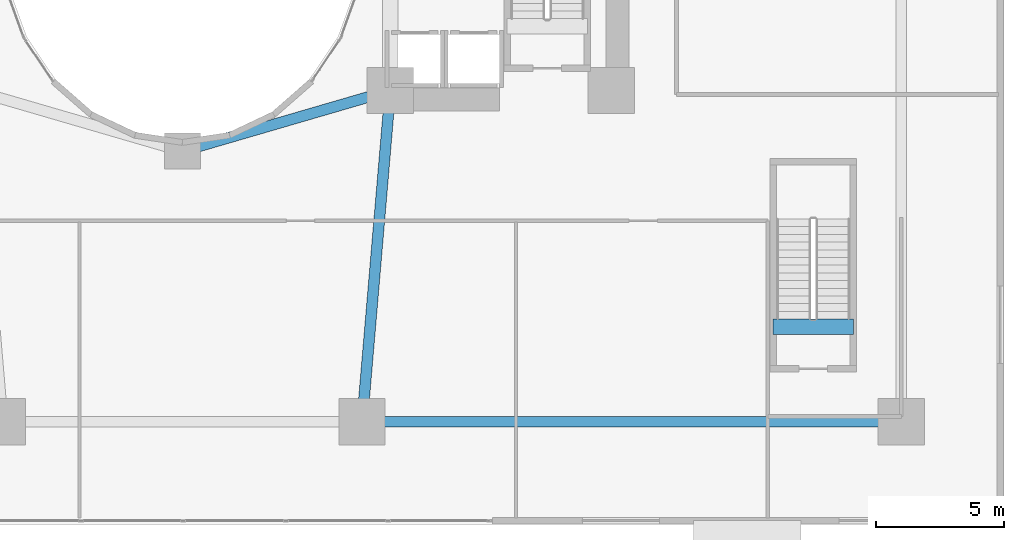
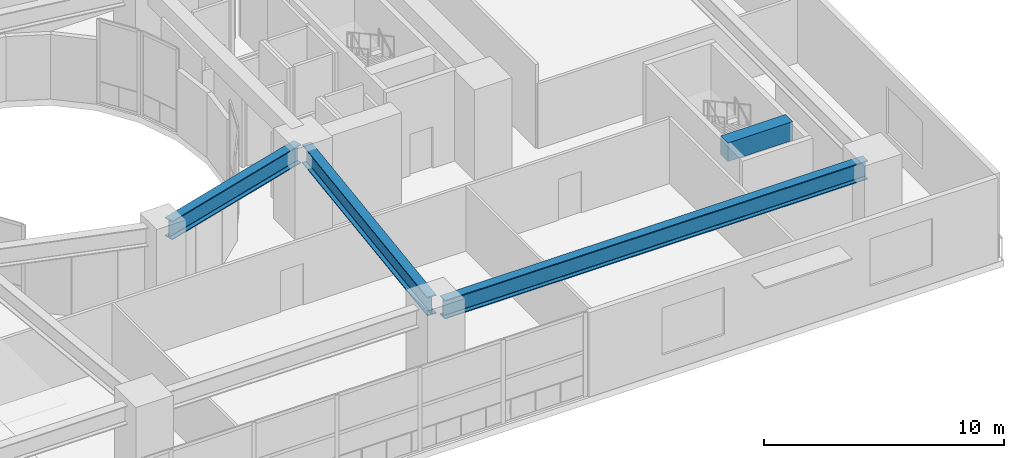
# One storey, part 6 of 25: 4 beams.
"""IFC4 building model written with IfcOpenShell, lengths in metres."""

import ifcopenshell
import ifcopenshell.guid

model = None  # the IFC model being written
_history = None  # IfcOwnerHistory: only IFC2X3 demands one
_inside = {}  # id of a spatial element -> (the spatial element, [elements in it])
_under = {}  # id of a project, library or spatial element -> (it, [spatial elements below it])
_declared = {}  # id of a project -> (the project, [libraries it declares])
_typed = {}  # id of a type object -> (the type object, [elements of that type])
_made_of = {}  # id of a material, layer set ... -> (it, [elements and type objects made of it])


def new_model(schema):
    """Start an empty IFC model of exactly this schema.

    Asked for "IFC4X3", IfcOpenShell would pick the latest addendum, in which some entities
    have other attributes; the version numbers below select the first issue.
    IFC2X3 requires an IfcOwnerHistory on every rooted entity: one is made here for all.
    """
    global model, _history
    if schema == "IFC4X3":
        model = ifcopenshell.file(schema_version=(4, 3, 0, 0))
    else:
        model = ifcopenshell.file(schema=schema)
    _inside.clear()
    _under.clear()
    _declared.clear()
    _typed.clear()
    _made_of.clear()
    _history = None
    if model.schema == "IFC2X3":
        org = make("IfcOrganization", Name="unknown")
        user = make(
            "IfcPersonAndOrganization",
            ThePerson=make("IfcPerson", FamilyName="unknown"),
            TheOrganization=org,
        )
        app = make(
            "IfcApplication",
            ApplicationDeveloper=org,
            Version="unknown",
            ApplicationFullName="unknown",
            ApplicationIdentifier="unknown",
        )
        _history = make(
            "IfcOwnerHistory",
            OwningUser=user,
            OwningApplication=app,
            ChangeAction="ADDED",
            CreationDate=0,
        )
    return model


def make(cls, **values):
    """One entity of the class cls with the attributes given. An attribute that is None is left unset."""
    return model.create_entity(
        cls, **{name: value for name, value in values.items() if value is not None}
    )


def rooted(cls, **values):
    """An entity with a GlobalId (a new one), such as an element, a storey or a relation."""
    return make(cls, GlobalId=ifcopenshell.guid.new(), OwnerHistory=_history, **values)


def si_unit(unit_type, name, prefix=None):
    """IfcSIUnit, for example si_unit("LENGTHUNIT", "METRE", prefix="MILLI")."""
    return make("IfcSIUnit", UnitType=unit_type, Prefix=prefix, Name=name)


def assignment(units):
    """IfcUnitAssignment: the units of a project."""
    return None if units is None else make("IfcUnitAssignment", Units=units)


def point(xyz):
    """IfcCartesianPoint."""
    return None if xyz is None else make("IfcCartesianPoint", Coordinates=xyz)


def direction(xyz):
    """IfcDirection."""
    return None if xyz is None else make("IfcDirection", DirectionRatios=xyz)


def frame(location, z_axis=None, x_axis=None):
    """IfcAxis2Placement3D, a coordinate frame: its origin and axes. An axis left out is left unset."""
    return make(
        "IfcAxis2Placement3D",
        Location=point(location),
        Axis=direction(z_axis),
        RefDirection=direction(x_axis),
    )


def frame_2d(location, x_axis=None):
    """IfcAxis2Placement2D, a coordinate frame in the plane: its origin and x axis."""
    return make(
        "IfcAxis2Placement2D", Location=point(location), RefDirection=direction(x_axis)
    )


def origin():
    """The frame at (0, 0, 0) with its axes left unset."""
    return frame((0.0, 0.0, 0.0))


def origin_2d():
    """The frame at (0, 0) in the plane with its x axis left unset."""
    return frame_2d((0.0, 0.0))


def place(relative_to, where):
    """IfcLocalPlacement: puts the frame where relative to a parent placement (None: the world)."""
    return make(
        "IfcLocalPlacement", PlacementRelTo=relative_to, RelativePlacement=where
    )


def context(
    kind, dimensions, precision=None, world=None, true_north=None, identifier=None
):
    """IfcGeometricRepresentationContext, for example the 3D "Model" context."""
    return make(
        "IfcGeometricRepresentationContext",
        ContextIdentifier=identifier,
        ContextType=kind,
        CoordinateSpaceDimension=dimensions,
        Precision=precision,
        WorldCoordinateSystem=world,
        TrueNorth=true_north,
    )


def subcontext(parent, identifier, kind, view, scale=None):
    """IfcGeometricRepresentationSubContext, for example "Body" below "Model"."""
    return make(
        "IfcGeometricRepresentationSubContext",
        ContextIdentifier=identifier,
        ContextType=kind,
        ParentContext=parent,
        TargetScale=scale,
        TargetView=view,
    )


def project(units=None, contexts=None):
    """IfcProject with its units and contexts."""
    return rooted(
        "IfcProject",
        Name="project",
        RepresentationContexts=contexts,
        UnitsInContext=assignment(units),
    )


def spatial(cls, under=None, at=None, **own):
    """A site, building, storey or space (cls), placed at a placement, below another one or the project."""
    s = rooted(cls, ObjectPlacement=at, **own)
    if under is not None:
        _under.setdefault(under.id(), (under, []))[1].append(s)
    return s


def profile(cls, at=None, kind="AREA", **sizes):
    """A parametric profile (cls). Its sizes go by their IFC names, for example OverallWidth=200.0."""
    return make(cls, ProfileType=kind, Position=at, **sizes)


def rectangle(**sizes):
    """IfcRectangleProfileDef."""
    return profile("IfcRectangleProfileDef", **sizes)


def i_section(**sizes):
    """IfcIShapeProfileDef."""
    return profile("IfcIShapeProfileDef", **sizes)


def extrude(swept, where, along, depth):
    """IfcExtrudedAreaSolid: the profile swept, set in the frame where, extruded along a direction by depth."""
    return make(
        "IfcExtrudedAreaSolid",
        SweptArea=swept,
        Position=where,
        ExtrudedDirection=direction(along),
        Depth=depth,
    )


def shape(context_of_items, identifier, shape_type, items):
    """IfcShapeRepresentation: the items that make up one representation, for example the "Body"."""
    return make(
        "IfcShapeRepresentation",
        ContextOfItems=context_of_items,
        RepresentationIdentifier=identifier,
        RepresentationType=shape_type,
        Items=items,
    )


def material(Name=None, Category=None):
    """IfcMaterial."""
    return make("IfcMaterial", Name=Name, Category=Category)


def material_profile(
    of_material, cross_section, Name=None, Category=None, Priority=None
):
    """IfcMaterialProfile: a cross section and its material."""
    return make(
        "IfcMaterialProfile",
        Name=Name,
        Material=of_material,
        Profile=cross_section,
        Priority=Priority,
        Category=Category,
    )


def profile_set(profiles, Name=None, composite=None):
    """IfcMaterialProfileSet."""
    return make(
        "IfcMaterialProfileSet",
        Name=Name,
        MaterialProfiles=profiles,
        CompositeProfile=composite,
    )


def made_of(thing, what):
    """Note that an element or type object is made of a material, layer set ...; save() writes the relation."""
    if what is not None:
        _made_of.setdefault(what.id(), (what, []))[1].append(thing)
    return thing


def type_object(cls, material=None, **own):
    """A type object (cls), such as IfcWallType, which elements share."""
    return made_of(rooted(cls, **own), material)


def element(
    cls,
    number,
    at=None,
    inside=None,
    cuts=None,
    type_object=None,
    material=None,
    context=None,
    identifier="Body",
    shape_type=None,
    held_by="IfcProductDefinitionShape",
    body=None,
    shapes=None,
    **own,
):
    """One element of the class cls, such as IfcWall. Its Tag is "e" and its number.

    at: its placement. inside: the storey or other place that contains it. cuts: it is an
    opening in that element (IfcRelVoidsElement). A single representation is given by context,
    identifier, shape_type and body (its items); several are given by shapes. held_by: the class
    of the entity that holds the representations. save() writes the other relations.
    """
    e = rooted(cls, Tag="e%d" % number, ObjectPlacement=at, **own)
    if body is not None:
        shapes = [shape(context, identifier, shape_type, body)]
    if shapes is not None:
        e.Representation = make(held_by, Representations=shapes)
    if inside is not None:
        _inside.setdefault(inside.id(), (inside, []))[1].append(e)
    if cuts is not None:
        rooted(
            "IfcRelVoidsElement", RelatingBuildingElement=cuts, RelatedOpeningElement=e
        )
    if type_object is not None:
        _typed.setdefault(type_object.id(), (type_object, []))[1].append(e)
    return made_of(e, material)


def aggregate(whole, parts):
    """IfcRelAggregates: a whole, such as a stair, and the parts it consists of."""
    return rooted("IfcRelAggregates", RelatingObject=whole, RelatedObjects=parts)


def save(model, path):
    """Write the relations noted so far, then the file.

    IfcRelAggregates (storeys below a building ...), IfcRelContainedInSpatialStructure (elements
    in a storey), IfcRelDefinesByType, IfcRelAssociatesMaterial and IfcRelDeclares: one each for
    every whole, place, type object, material and project.
    """
    for whole, parts in _under.values():
        aggregate(whole, parts)
    for where, things in _inside.values():
        rooted(
            "IfcRelContainedInSpatialStructure",
            RelatedElements=things,
            RelatingStructure=where,
        )
    for kind, things in _typed.values():
        rooted("IfcRelDefinesByType", RelatedObjects=things, RelatingType=kind)
    for what, things in _made_of.values():
        rooted("IfcRelAssociatesMaterial", RelatedObjects=things, RelatingMaterial=what)
    for by, libraries in _declared.values():
        rooted("IfcRelDeclares", RelatingContext=by, RelatedDefinitions=libraries)
    model.write(path)


model = new_model("IFC4")

# Units and contexts
model_context = context("Model", 3, precision=1e-05, world=origin(), true_north=direction((0.0, 1.0)))
body_context = subcontext(model_context, "Body", "Model", "MODEL_VIEW")
ifc_project = project(units=[si_unit("LENGTHUNIT", "METRE"), si_unit("AREAUNIT", "SQUARE_METRE"), si_unit("VOLUMEUNIT", "CUBIC_METRE"), si_unit("PLANEANGLEUNIT", "RADIAN"), si_unit("MASSUNIT", "GRAM", prefix="KILO")], contexts=[model_context])

# Site, building, storey
site_placement = place(None, origin())
site = spatial("IfcSite", under=ifc_project, at=site_placement, CompositionType="ELEMENT")
building_placement = place(site_placement, origin())
building = spatial("IfcBuilding", under=site, at=building_placement, Name="Solvane Sanctuary Tower", CompositionType="ELEMENT")
storey_placement = place(building_placement, frame((0.0, 0.0, 13.800048828125)))
storey = spatial("IfcBuildingStorey", under=building, at=storey_placement, Name="L04", CompositionType="ELEMENT", Elevation=13.800048828125)

# Beams
ifc_material_1 = material(Name="Concrete C70/85", Category="concrete")
ifc_material_profile_1 = material_profile(ifc_material_1, rectangle(XDim=0.60009765625, YDim=0.949951171875, at=origin_2d()), Name="RC600X950")
ifc_profile_set_1 = profile_set([ifc_material_profile_1], Name="Concrete C70/85")
beam_type_1 = type_object("IfcBeamType", Name="Beam B-COUPLE RC600X950", PredefinedType="LINTEL", material=ifc_profile_set_1)
beam_1_placement = place(storey_placement, frame((55.010009765625, 7.69921875, 4.125), z_axis=(1.0, 0.0, 0.0), x_axis=(0.0, 1.0, 0.0)))
element("IfcBeam", 1, at=beam_1_placement, inside=storey, type_object=beam_type_1, Name="L04 ST-5 Stair Floor Landing Trimmer", PredefinedType="LINTEL", context=body_context, shape_type="SweptSolid", body=[
    extrude(rectangle(XDim=0.60009765625, YDim=0.949951171875, at=origin_2d()), origin(), (0.0, 0.0, 1.0), 3.119873046875),
])
ifc_material_2 = material(Name="Steel ASTM A913 Grade 65", Category="steel")
ifc_material_profile_2 = material_profile(ifc_material_2, i_section(OverallWidth=0.423095703125, OverallDepth=0.947998046875, WebThickness=0.02392578125, FlangeThickness=0.042724609375, FilletRadius=0.02392578125, at=origin_2d()), Name="W36X302")
ifc_profile_set_2 = profile_set([ifc_material_profile_2], Name="Steel ASTM A913 Grade 65")
beam_type_2 = type_object("IfcBeamType", Name="Beam B-POD-GIRD W36X302", PredefinedType="BEAM", material=ifc_profile_set_2)
beam_2_placement = place(storey_placement, frame((39.35009765625, 4.0, 3.803955078125), z_axis=(1.0, 0.0, 0.0), x_axis=(0.0, 1.0, 0.0)))
element("IfcBeam", 2, at=beam_2_placement, inside=storey, type_object=beam_type_2, Name="L04 Podium Primary Girder PG3", PredefinedType="BEAM", context=body_context, shape_type="SweptSolid", body=[
    extrude(i_section(OverallWidth=0.423095703125, OverallDepth=0.947998046875, WebThickness=0.02392578125, FlangeThickness=0.042724609375, FilletRadius=0.02392578125, at=origin_2d()), origin(), (0.0, 0.0, 1.0), 20.2998046875),
])
beam_3_placement = place(storey_placement, frame((39.02978515625, 4.3486328125, 3.803955078125), z_axis=(0.084962372295, 0.996384160499, 0.0), x_axis=(-0.996384160499, 0.084962372295, 0.0)))
element("IfcBeam", 3, at=beam_3_placement, inside=storey, type_object=beam_type_2, Name="L04 Podium Primary Girder PG10", PredefinedType="BEAM", context=body_context, shape_type="SweptSolid", body=[
    extrude(i_section(OverallWidth=0.423095703125, OverallDepth=0.947998046875, WebThickness=0.02392578125, FlangeThickness=0.042724609375, FilletRadius=0.02392578125, at=origin_2d()), origin(), (0.0, 0.0, 1.0), 12.246826171875),
])
beam_4_placement = place(storey_placement, frame((32.3359375, 14.637939453125, 3.803955078125), z_axis=(0.960084424813, 0.279710380987, 0.0), x_axis=(-0.279710380987, 0.960084424813, 0.0)))
element("IfcBeam", 4, at=beam_4_placement, inside=storey, type_object=beam_type_2, Name="L04 Podium Primary Girder PG18", PredefinedType="BEAM", context=body_context, shape_type="SweptSolid", body=[
    extrude(i_section(OverallWidth=0.423095703125, OverallDepth=0.947998046875, WebThickness=0.02392578125, FlangeThickness=0.042724609375, FilletRadius=0.02392578125, at=origin_2d()), origin(), (0.0, 0.0, 1.0), 7.73681640625),
])

save(model, "model.ifc")
